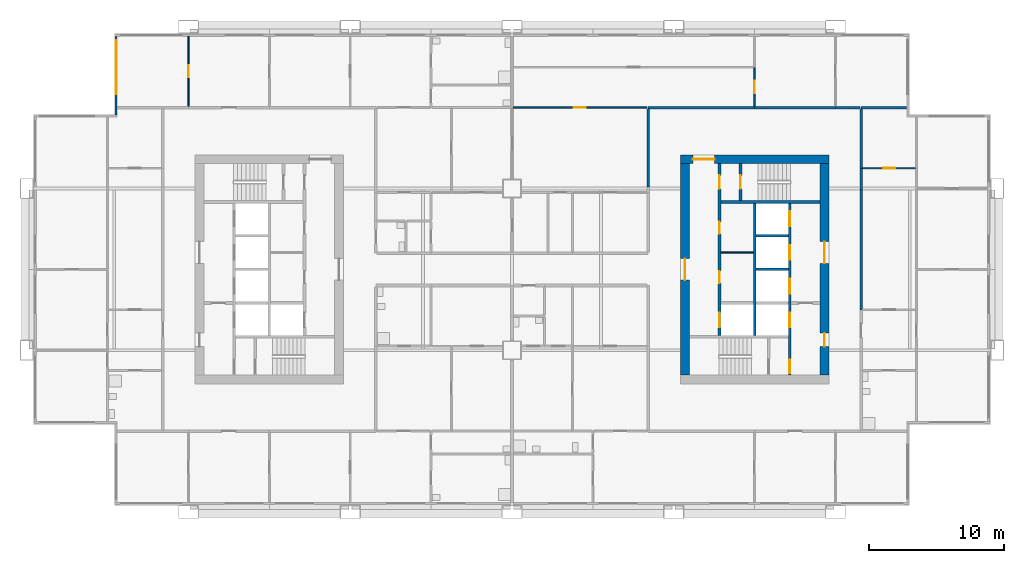
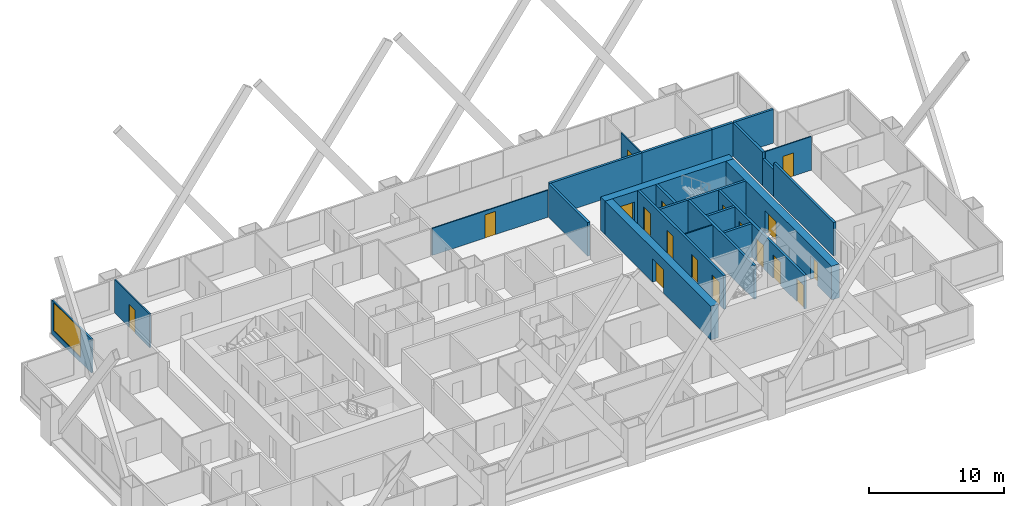
# One storey, part 7 of 11: 24 walls, 18 doors, 1 window, 19 openings.
"""IFC4 building model written with IfcOpenShell, lengths in metres."""

from ifc_helpers import new_model, si_unit, direction, frame, frame_2d, origin, place, context, subcontext, project, spatial, rectangle, extrude, material, layer, layer_set, type_object, element, fill, save


model = new_model("IFC4")

# Units and contexts
model_context = context("Model", 3, precision=1e-05, world=origin(), true_north=direction((0.0, 1.0)))
body_context = subcontext(model_context, "Body", "Model", "MODEL_VIEW")
ifc_project = project(units=[si_unit("LENGTHUNIT", "METRE"), si_unit("AREAUNIT", "SQUARE_METRE"), si_unit("VOLUMEUNIT", "CUBIC_METRE"), si_unit("PLANEANGLEUNIT", "RADIAN"), si_unit("MASSUNIT", "GRAM", prefix="KILO")], contexts=[model_context])

# Site, building, storey
site_placement = place(None, origin())
site = spatial("IfcSite", under=ifc_project, at=site_placement, CompositionType="ELEMENT")
building_placement = place(site_placement, origin())
building = spatial("IfcBuilding", under=site, at=building_placement, Name="Kitamizu Gate Tower and Museum", CompositionType="ELEMENT")
storey_placement = place(building_placement, frame((0.0, 0.0, 96.60009765625)))
storey = spatial("IfcBuildingStorey", under=building, at=storey_placement, Name="L24", CompositionType="ELEMENT", Elevation=96.60009765625)

# Wall, opening, door
ifc_material_1 = material(Name="Concrete Fc60", Category="concrete")
ifc_layer_1 = layer(ifc_material_1, 0.64990234375)
ifc_layer_set_1 = layer_set([ifc_layer_1], Name="Concrete Fc60")
wall_type_1 = type_object("IfcWallType", Name="Core wall 650", PredefinedType="SHEAR", material=ifc_layer_set_1)
wall_1_placement = place(storey_placement, frame((59.5, 38.175048828125, 0.0), z_axis=(0.0, 0.0, 1.0), x_axis=(-1.0, 0.0, 0.0)))
wall_1 = element("IfcWall", 1, at=wall_1_placement, inside=storey, type_object=wall_type_1, Name="Core wall EN", PredefinedType="SHEAR", context=body_context, shape_type="SweptSolid", body=[
    extrude(rectangle(XDim=11.0, YDim=0.64990234375, at=frame_2d((5.5, 0.0))), origin(), (0.0, 0.0, 1.0), 3.0498046875),
])
opening_1_placement = place(wall_1_placement, frame((8.47509765625, 0.0, 0.0)))
opening_1 = element("IfcOpeningElement", 2, at=opening_1_placement, cuts=wall_1, Name="Opening L24-074", PredefinedType="OPENING", context=body_context, shape_type="SweptSolid", body=[
    extrude(rectangle(XDim=1.60009765625, YDim=2.10009765625, at=frame_2d((0.800048828125, 1.050048828125))), frame((0.0, 0.3349609375, 0.0), z_axis=(0.0, -1.0, 0.0), x_axis=(1.0, 0.0, 0.0)), (0.0, 0.0, 1.0), 0.669921875),
])
ifc_material_2 = material(Name="Timber door set", Category="wood")
door_type_1 = type_object("IfcDoorType", Name="Entrance door 1600", OperationType="DOUBLE_DOOR_SINGLE_SWING", PredefinedType="DOOR", material=ifc_material_2)
door_1_placement = place(opening_1_placement, origin())
door_1 = element("IfcDoor", 3, at=door_1_placement, inside=storey, type_object=door_type_1, Name="Lobby door L24-074", OperationType="DOUBLE_DOOR_SINGLE_SWING", OverallHeight=2.10009765625, OverallWidth=1.60009765625, PredefinedType="DOOR", context=body_context, shape_type="SweptSolid", body=[
    extrude(rectangle(XDim=1.60009765625, YDim=2.10009765625, at=frame_2d((0.800048828125, 1.050048828125))), frame((0.0, 0.02490234375, 0.0), z_axis=(0.0, -1.0, 0.0), x_axis=(1.0, 0.0, 0.0)), (0.0, 0.0, 1.0), 0.050048828125),
])
fill(opening_1, door_1)

# Wall, openings, doors
wall_2_placement = place(storey_placement, frame((59.175048828125, 22.14990234375, 0.0), z_axis=(0.0, 0.0, 1.0), x_axis=(0.0, 1.0, 0.0)))
wall_2 = element("IfcWall", 4, at=wall_2_placement, inside=storey, type_object=wall_type_1, Name="Core wall EOUT", PredefinedType="SHEAR", context=body_context, shape_type="SweptSolid", body=[
    extrude(rectangle(XDim=15.7001953125, YDim=0.64990234375, at=frame_2d((7.85009765625, 0.0))), origin(), (0.0, 0.0, 1.0), 3.0498046875),
])
opening_2_placement = place(wall_2_placement, frame((8.300048828125, 0.0, 0.0)))
opening_2 = element("IfcOpeningElement", 5, at=opening_2_placement, cuts=wall_2, Name="Opening L24-072", PredefinedType="OPENING", context=body_context, shape_type="SweptSolid", body=[
    extrude(rectangle(XDim=1.60009765625, YDim=2.10009765625, at=frame_2d((0.800048828125, 1.050048828125))), frame((0.0, 0.3349609375, 0.0), z_axis=(0.0, -1.0, 0.0), x_axis=(1.0, 0.0, 0.0)), (0.0, 0.0, 1.0), 0.669921875),
])
opening_3_placement = place(wall_2_placement, frame((2.125, 0.0, 0.0)))
opening_3 = element("IfcOpeningElement", 6, at=opening_3_placement, cuts=wall_2, Name="Opening L24-073", PredefinedType="OPENING", context=body_context, shape_type="SweptSolid", body=[
    extrude(rectangle(XDim=1.0, YDim=2.10009765625, at=frame_2d((0.5, 1.050048828125))), frame((0.0, 0.3349609375, 0.0), z_axis=(0.0, -1.0, 0.0), x_axis=(1.0, 0.0, 0.0)), (0.0, 0.0, 1.0), 0.669921875),
])
door_2_placement = place(opening_2_placement, origin())
door_2 = element("IfcDoor", 7, at=door_2_placement, inside=storey, type_object=door_type_1, Name="Lobby door L24-072", OperationType="DOUBLE_DOOR_SINGLE_SWING", OverallHeight=2.10009765625, OverallWidth=1.60009765625, PredefinedType="DOOR", context=body_context, shape_type="SweptSolid", body=[
    extrude(rectangle(XDim=1.60009765625, YDim=2.10009765625, at=frame_2d((0.800048828125, 1.050048828125))), frame((0.0, 0.02490234375, 0.0), z_axis=(0.0, -1.0, 0.0), x_axis=(1.0, 0.0, 0.0)), (0.0, 0.0, 1.0), 0.050048828125),
])
fill(opening_2, door_2)
ifc_material_3 = material(Name="Hollow metal door set")
door_type_2 = type_object("IfcDoorType", Name="Fire door 1000", OperationType="NOTDEFINED", PredefinedType="DOOR", material=ifc_material_3)
door_3_placement = place(opening_3_placement, origin())
door_3 = element("IfcDoor", 8, at=door_3_placement, inside=storey, type_object=door_type_2, Name="Fire-fighting lobby door L24-073", OperationType="SINGLE_SWING_LEFT", OverallHeight=2.10009765625, OverallWidth=1.0, PredefinedType="DOOR", context=body_context, shape_type="SweptSolid", body=[
    extrude(rectangle(XDim=1.0, YDim=2.10009765625, at=frame_2d((0.5, 1.050048828125))), frame((0.0, 0.02490234375, 0.0), z_axis=(0.0, -1.0, 0.0), x_axis=(1.0, 0.0, 0.0)), (0.0, 0.0, 1.0), 0.050048828125),
])
fill(opening_3, door_3)

# Wall, opening, door
wall_3_placement = place(storey_placement, frame((48.824951171875, 22.14990234375, 0.0), z_axis=(0.0, 0.0, 1.0), x_axis=(0.0, 1.0, 0.0)))
wall_3 = element("IfcWall", 9, at=wall_3_placement, inside=storey, type_object=wall_type_1, Name="Core wall EARC", PredefinedType="SHEAR", context=body_context, shape_type="SweptSolid", body=[
    extrude(rectangle(XDim=15.7001953125, YDim=0.64990234375, at=frame_2d((7.85009765625, 0.0))), origin(), (0.0, 0.0, 1.0), 3.0498046875),
])
opening_4_placement = place(wall_3_placement, frame((7.050048828125, 0.0, 0.0)))
opening_4 = element("IfcOpeningElement", 10, at=opening_4_placement, cuts=wall_3, Name="Opening L24-075", PredefinedType="OPENING", context=body_context, shape_type="SweptSolid", body=[
    extrude(rectangle(XDim=1.60009765625, YDim=2.10009765625, at=frame_2d((0.800048828125, 1.050048828125))), frame((0.0, 0.3349609375, 0.0), z_axis=(0.0, -1.0, 0.0), x_axis=(1.0, 0.0, 0.0)), (0.0, 0.0, 1.0), 0.669921875),
])
door_4_placement = place(opening_4_placement, origin())
door_4 = element("IfcDoor", 11, at=door_4_placement, inside=storey, type_object=door_type_1, Name="Lobby door L24-075", OperationType="DOUBLE_DOOR_SINGLE_SWING", OverallHeight=2.10009765625, OverallWidth=1.60009765625, PredefinedType="DOOR", context=body_context, shape_type="SweptSolid", body=[
    extrude(rectangle(XDim=1.60009765625, YDim=2.10009765625, at=frame_2d((0.800048828125, 1.050048828125))), frame((0.0, 0.02490234375, 0.0), z_axis=(0.0, -1.0, 0.0), x_axis=(1.0, 0.0, 0.0)), (0.0, 0.0, 1.0), 0.050048828125),
])
fill(opening_4, door_4)

# Wall
ifc_material_4 = material(Name="Gypsum board on galvanised stud")
ifc_layer_2 = layer(ifc_material_4, 0.10009765625)
ifc_layer_set_2 = layer_set([ifc_layer_2], Name="Gypsum board on galvanised stud")
wall_type_2 = type_object("IfcWallType", Name="Partition 100", PredefinedType="PARTITIONING", material=ifc_layer_set_2)
wall_4_placement = place(storey_placement, frame((53.89990234375, 31.25, 0.0), z_axis=(0.0, 0.0, 1.0), x_axis=(-1.0, 0.0, 0.0)))
element("IfcWall", 12, at=wall_4_placement, inside=storey, type_object=wall_type_2, Name="Partition EPF1", PredefinedType="PARTITIONING", context=body_context, shape_type="SweptSolid", body=[
    extrude(rectangle(XDim=2.39990234375, YDim=0.10009765625, at=frame_2d((1.199951171875, 0.0))), origin(), (0.0, 0.0, 1.0), 3.0498046875),
])

# Wall, opening, door
ifc_material_5 = material(Name="Gypsum board on galvanised stud")
ifc_layer_3 = layer(ifc_material_5, 0.10009765625)
ifc_layer_set_3 = layer_set([ifc_layer_3], Name="Gypsum board on galvanised stud")
wall_type_3 = type_object("IfcWallType", Name="Partition 100 NOT RATED", PredefinedType="PARTITIONING", material=ifc_layer_set_3)
wall_5_placement = place(storey_placement, frame((65.949951171875, 37.5, 0.0), z_axis=(0.0, 0.0, 1.0), x_axis=(-1.0, 0.0, 0.0)))
wall_5 = element("IfcWall", 13, at=wall_5_placement, inside=storey, type_object=wall_type_3, Name="Partition L24-088", PredefinedType="PARTITIONING", context=body_context, shape_type="SweptSolid", body=[
    extrude(rectangle(XDim=3.949951171875, YDim=0.10009765625, at=frame_2d((1.97509765625, 0.0))), origin(), (0.0, 0.0, 1.0), 3.0498046875),
])
opening_5_placement = place(wall_5_placement, frame((1.52490234375, 0.0, 0.0)))
opening_5 = element("IfcOpeningElement", 14, at=opening_5_placement, cuts=wall_5, Name="Opening L24-035", PredefinedType="OPENING", context=body_context, shape_type="SweptSolid", body=[
    extrude(rectangle(XDim=0.89990234375, YDim=2.10009765625, at=frame_2d((0.449951171875, 1.050048828125))), frame((0.0, 0.06005859375, 0.0), z_axis=(0.0, -1.0, 0.0), x_axis=(1.0, 0.0, 0.0)), (0.0, 0.0, 1.0), 0.1201171875),
])
ifc_material_6 = material(Name="Timber door set", Category="wood")
door_type_3 = type_object("IfcDoorType", Name="Room door 900", OperationType="NOTDEFINED", PredefinedType="DOOR", material=ifc_material_6)
door_5_placement = place(opening_5_placement, frame((0.89990234375, 0.0, 0.0), x_axis=(-1.0, 0.0, 0.0)))
door_5 = element("IfcDoor", 15, at=door_5_placement, inside=storey, type_object=door_type_3, Name="Door L24-035", OperationType="SINGLE_SWING_RIGHT", OverallHeight=2.10009765625, OverallWidth=0.89990234375, PredefinedType="DOOR", context=body_context, shape_type="SweptSolid", body=[
    extrude(rectangle(XDim=0.89990234375, YDim=2.10009765625, at=frame_2d((0.449951171875, 1.050048828125))), frame((0.0, 0.02490234375, 0.0), z_axis=(0.0, -1.0, 0.0), x_axis=(1.0, 0.0, 0.0)), (0.0, 0.0, 1.0), 0.050048828125),
])
fill(opening_5, door_5)

wall_6_placement = place(storey_placement, frame((12.0, 42.10009765625, 0.0), z_axis=(0.0, 0.0, 1.0), x_axis=(0.0, 1.0, 0.0)))
wall_6 = element("IfcWall", 16, at=wall_6_placement, inside=storey, type_object=wall_type_3, Name="Partition L24-093", PredefinedType="PARTITIONING", context=body_context, shape_type="SweptSolid", body=[
    extrude(rectangle(XDim=5.179931640625, YDim=0.10009765625, at=frame_2d((2.58984375, 0.0))), origin(), (0.0, 0.0, 1.0), 3.0498046875),
])
opening_6_placement = place(wall_6_placement, frame((2.139892578125, 0.0, 0.0)))
opening_6 = element("IfcOpeningElement", 17, at=opening_6_placement, cuts=wall_6, Name="Opening L24-037", PredefinedType="OPENING", context=body_context, shape_type="SweptSolid", body=[
    extrude(rectangle(XDim=0.89990234375, YDim=2.10009765625, at=frame_2d((0.449951171875, 1.050048828125))), frame((0.0, 0.06005859375, 0.0), z_axis=(0.0, -1.0, 0.0), x_axis=(1.0, 0.0, 0.0)), (0.0, 0.0, 1.0), 0.1201171875),
])
door_6_placement = place(opening_6_placement, origin())
door_6 = element("IfcDoor", 18, at=door_6_placement, inside=storey, type_object=door_type_3, Name="Door L24-037", OperationType="SINGLE_SWING_LEFT", OverallHeight=2.10009765625, OverallWidth=0.89990234375, PredefinedType="DOOR", context=body_context, shape_type="SweptSolid", body=[
    extrude(rectangle(XDim=0.89990234375, YDim=2.10009765625, at=frame_2d((0.449951171875, 1.050048828125))), frame((0.0, 0.02490234375, 0.0), z_axis=(0.0, -1.0, 0.0), x_axis=(1.0, 0.0, 0.0)), (0.0, 0.0, 1.0), 0.050048828125),
])
fill(opening_6, door_6)

wall_7_placement = place(storey_placement, frame((54.0, 42.10009765625, 0.0), z_axis=(0.0, 0.0, 1.0), x_axis=(0.0, 1.0, 0.0)))
wall_7 = element("IfcWall", 19, at=wall_7_placement, inside=storey, type_object=wall_type_3, Name="Partition L24-110", PredefinedType="PARTITIONING", context=body_context, shape_type="SweptSolid", body=[
    extrude(rectangle(XDim=2.849853515625, YDim=0.10009765625, at=frame_2d((1.4248046875, 0.0))), origin(), (0.0, 0.0, 1.0), 3.0498046875),
])
opening_7_placement = place(wall_7_placement, frame((0.97509765625, 0.0, 0.0)))
opening_7 = element("IfcOpeningElement", 20, at=opening_7_placement, cuts=wall_7, Name="Opening L24-052", PredefinedType="OPENING", context=body_context, shape_type="SweptSolid", body=[
    extrude(rectangle(XDim=0.89990234375, YDim=2.10009765625, at=frame_2d((0.449951171875, 1.050048828125))), frame((0.0, 0.06005859375, 0.0), z_axis=(0.0, -1.0, 0.0), x_axis=(1.0, 0.0, 0.0)), (0.0, 0.0, 1.0), 0.1201171875),
])
door_7_placement = place(opening_7_placement, frame((0.89990234375, 0.0, 0.0), x_axis=(-1.0, 0.0, 0.0)))
door_7 = element("IfcDoor", 21, at=door_7_placement, inside=storey, type_object=door_type_3, Name="Door L24-052", OperationType="SINGLE_SWING_LEFT", OverallHeight=2.10009765625, OverallWidth=0.89990234375, PredefinedType="DOOR", context=body_context, shape_type="SweptSolid", body=[
    extrude(rectangle(XDim=0.89990234375, YDim=2.10009765625, at=frame_2d((0.449951171875, 1.050048828125))), frame((0.0, 0.02490234375, 0.0), z_axis=(0.0, -1.0, 0.0), x_axis=(1.0, 0.0, 0.0)), (0.0, 0.0, 1.0), 0.050048828125),
])
fill(opening_7, door_7)

wall_8_placement = place(storey_placement, frame((36.074951171875, 42.0, 0.0), z_axis=(0.0, 0.0, 1.0), x_axis=(1.0, 0.0, 0.0)))
wall_8 = element("IfcWall", 22, at=wall_8_placement, inside=storey, type_object=wall_type_3, Name="Partition L24-111", PredefinedType="PARTITIONING", context=body_context, shape_type="SweptSolid", body=[
    extrude(rectangle(XDim=9.925048828125, YDim=0.10009765625, at=frame_2d((4.96240234375, 0.0))), origin(), (0.0, 0.0, 1.0), 2.449951171875),
])
opening_8_placement = place(wall_8_placement, frame((4.512451171875, 0.0, 0.0)))
opening_8 = element("IfcOpeningElement", 23, at=opening_8_placement, cuts=wall_8, Name="Opening L24-050", PredefinedType="OPENING", context=body_context, shape_type="SweptSolid", body=[
    extrude(rectangle(XDim=0.89990234375, YDim=2.10009765625, at=frame_2d((0.449951171875, 1.050048828125))), frame((0.0, 0.06005859375, 0.0), z_axis=(0.0, -1.0, 0.0), x_axis=(1.0, 0.0, 0.0)), (0.0, 0.0, 1.0), 0.1201171875),
])
door_8_placement = place(opening_8_placement, origin())
door_8 = element("IfcDoor", 24, at=door_8_placement, inside=storey, type_object=door_type_3, Name="Door L24-050", OperationType="SINGLE_SWING_LEFT", OverallHeight=2.10009765625, OverallWidth=0.89990234375, PredefinedType="DOOR", context=body_context, shape_type="SweptSolid", body=[
    extrude(rectangle(XDim=0.89990234375, YDim=2.10009765625, at=frame_2d((0.449951171875, 1.050048828125))), frame((0.0, 0.02490234375, 0.0), z_axis=(0.0, -1.0, 0.0), x_axis=(1.0, 0.0, 0.0)), (0.0, 0.0, 1.0), 0.050048828125),
])
fill(opening_8, door_8)

# Walls
ifc_material_7 = material(Name="Gypsum board on galvanised stud")
ifc_layer_4 = layer(ifc_material_7, 0.199951171875)
ifc_layer_set_4 = layer_set([ifc_layer_4], Name="Gypsum board on galvanised stud")
wall_type_4 = type_object("IfcWallType", Name="Partition 200", PredefinedType="PARTITIONING", material=ifc_layer_set_4)
wall_9_placement = place(storey_placement, frame((61.89990234375, 37.5, 0.0), z_axis=(0.0, 0.0, 1.0), x_axis=(0.0, -1.0, 0.0)))
element("IfcWall", 25, at=wall_9_placement, inside=storey, type_object=wall_type_4, Name="Partition L24-089", PredefinedType="PARTITIONING", context=body_context, shape_type="SweptSolid", body=[
    extrude(rectangle(XDim=1.60009765625, YDim=0.199951171875, at=frame_2d((0.800048828125, 0.0))), origin(), (0.0, 0.0, 1.0), 2.449951171875),
])
wall_10_placement = place(storey_placement, frame((61.89990234375, 35.89990234375, 0.0), z_axis=(0.0, 0.0, 1.0), x_axis=(0.0, -1.0, 0.0)))
element("IfcWall", 26, at=wall_10_placement, inside=storey, type_object=wall_type_4, Name="Partition L24-090", PredefinedType="PARTITIONING", context=body_context, shape_type="SweptSolid", body=[
    extrude(rectangle(XDim=8.89990234375, YDim=0.199951171875, at=frame_2d((4.449951171875, 0.0))), origin(), (0.0, 0.0, 1.0), 3.0498046875),
])
wall_11_placement = place(storey_placement, frame((65.280029296875, 42.0, 0.0), z_axis=(0.0, 0.0, 1.0), x_axis=(-1.0, 0.0, 0.0)))
element("IfcWall", 27, at=wall_11_placement, inside=storey, type_object=wall_type_4, Name="Partition L24-091", PredefinedType="PARTITIONING", context=body_context, shape_type="SweptSolid", body=[
    extrude(rectangle(XDim=3.380126953125, YDim=0.199951171875, at=frame_2d((1.68994140625, 0.0))), origin(), (0.0, 0.0, 1.0), 3.0498046875),
])
wall_12_placement = place(storey_placement, frame((61.89990234375, 41.89990234375, 0.0), z_axis=(0.0, 0.0, 1.0), x_axis=(0.0, -1.0, 0.0)))
element("IfcWall", 28, at=wall_12_placement, inside=storey, type_object=wall_type_4, Name="Partition L24-092", PredefinedType="PARTITIONING", context=body_context, shape_type="SweptSolid", body=[
    extrude(rectangle(XDim=4.39990234375, YDim=0.199951171875, at=frame_2d((2.199951171875, 0.0))), origin(), (0.0, 0.0, 1.0), 3.0498046875),
])
wall_13_placement = place(storey_placement, frame((46.10009765625, 42.0, 0.0), z_axis=(0.0, 0.0, 1.0), x_axis=(1.0, 0.0, 0.0)))
element("IfcWall", 29, at=wall_13_placement, inside=storey, type_object=wall_type_4, Name="Partition L24-112", PredefinedType="PARTITIONING", context=body_context, shape_type="SweptSolid", body=[
    extrude(rectangle(XDim=7.89990234375, YDim=0.199951171875, at=frame_2d((3.949951171875, 0.0))), origin(), (0.0, 0.0, 1.0), 3.0498046875),
])
wall_14_placement = place(storey_placement, frame((54.0, 42.0, 0.0), z_axis=(0.0, 0.0, 1.0), x_axis=(1.0, 0.0, 0.0)))
element("IfcWall", 30, at=wall_14_placement, inside=storey, type_object=wall_type_4, Name="Partition L24-115", PredefinedType="PARTITIONING", context=body_context, shape_type="SweptSolid", body=[
    extrude(rectangle(XDim=6.0, YDim=0.199951171875, at=frame_2d((3.0, 0.0))), origin(), (0.0, 0.0, 1.0), 3.0498046875),
])
wall_15_placement = place(storey_placement, frame((60.0, 42.0, 0.0), z_axis=(0.0, 0.0, 1.0), x_axis=(1.0, 0.0, 0.0)))
element("IfcWall", 31, at=wall_15_placement, inside=storey, type_object=wall_type_4, Name="Partition L24-116", PredefinedType="PARTITIONING", context=body_context, shape_type="SweptSolid", body=[
    extrude(rectangle(XDim=1.800048828125, YDim=0.199951171875, at=frame_2d((0.89990234375, 0.0))), origin(), (0.0, 0.0, 1.0), 3.0498046875),
])
wall_16_placement = place(storey_placement, frame((46.10009765625, 36.10009765625, 0.0), z_axis=(0.0, 0.0, 1.0), x_axis=(0.0, 1.0, 0.0)))
element("IfcWall", 32, at=wall_16_placement, inside=storey, type_object=wall_type_4, Name="Partition L24-139", PredefinedType="PARTITIONING", context=body_context, shape_type="SweptSolid", body=[
    extrude(rectangle(XDim=5.7998046875, YDim=0.199951171875, at=frame_2d((2.89990234375, 0.0))), origin(), (0.0, 0.0, 1.0), 3.0498046875),
])

# Wall, openings, doors
ifc_material_8 = material(Name="Concrete Fc42", Category="concrete")
ifc_layer_5 = layer(ifc_material_8, 0.199951171875)
ifc_layer_set_5 = layer_set([ifc_layer_5], Name="Concrete Fc42")
wall_type_5 = type_object("IfcWallType", Name="Shaft wall 200", PredefinedType="SOLIDWALL", material=ifc_layer_set_5)
wall_17_placement = place(storey_placement, frame((56.60009765625, 22.14990234375, 0.0), z_axis=(0.0, 0.0, 1.0), x_axis=(0.0, 1.0, 0.0)))
wall_17 = element("IfcWall", 33, at=wall_17_placement, inside=storey, type_object=wall_type_5, Name="Shaft wall EWEST", PredefinedType="SOLIDWALL", context=body_context, shape_type="SweptSolid", body=[
    extrude(rectangle(XDim=12.75, YDim=0.199951171875, at=frame_2d((6.375, 0.0))), origin(), (0.0, 0.0, 1.0), 3.0498046875),
])
opening_9_placement = place(wall_17_placement, frame((3.550048828125, 0.0, 0.0)))
opening_9 = element("IfcOpeningElement", 34, at=opening_9_placement, cuts=wall_17, Name="Opening LD", PredefinedType="OPENING", context=body_context, shape_type="SweptSolid", body=[
    extrude(rectangle(XDim=1.10009765625, YDim=2.10009765625, at=frame_2d((0.550048828125, 1.050048828125))), frame((0.0, 0.10986328125, 0.0), z_axis=(0.0, -1.0, 0.0), x_axis=(1.0, 0.0, 0.0)), (0.0, 0.0, 1.0), 0.219970703125),
])
opening_10_placement = place(wall_17_placement, frame((6.050048828125, 0.0, 0.0)))
opening_10 = element("IfcOpeningElement", 35, at=opening_10_placement, cuts=wall_17, Name="Opening LD", PredefinedType="OPENING", context=body_context, shape_type="SweptSolid", body=[
    extrude(rectangle(XDim=1.10009765625, YDim=2.10009765625, at=frame_2d((0.550048828125, 1.050048828125))), frame((0.0, 0.10986328125, 0.0), z_axis=(0.0, -1.0, 0.0), x_axis=(1.0, 0.0, 0.0)), (0.0, 0.0, 1.0), 0.219970703125),
])
opening_11_placement = place(wall_17_placement, frame((8.550048828125, 0.0, 0.0)))
opening_11 = element("IfcOpeningElement", 36, at=opening_11_placement, cuts=wall_17, Name="Opening LD", PredefinedType="OPENING", context=body_context, shape_type="SweptSolid", body=[
    extrude(rectangle(XDim=1.10009765625, YDim=2.10009765625, at=frame_2d((0.550048828125, 1.050048828125))), frame((0.0, 0.10986328125, 0.0), z_axis=(0.0, -1.0, 0.0), x_axis=(1.0, 0.0, 0.0)), (0.0, 0.0, 1.0), 0.219970703125),
])
opening_12_placement = place(wall_17_placement, frame((11.050048828125, 0.0, 0.0)))
opening_12 = element("IfcOpeningElement", 37, at=opening_12_placement, cuts=wall_17, Name="Opening LD", PredefinedType="OPENING", context=body_context, shape_type="SweptSolid", body=[
    extrude(rectangle(XDim=1.10009765625, YDim=2.10009765625, at=frame_2d((0.550048828125, 1.050048828125))), frame((0.0, 0.10986328125, 0.0), z_axis=(0.0, -1.0, 0.0), x_axis=(1.0, 0.0, 0.0)), (0.0, 0.0, 1.0), 0.219970703125),
])
opening_13_placement = place(wall_17_placement, frame((0.14990234375, 0.0, 0.0)))
opening_13 = element("IfcOpeningElement", 38, at=opening_13_placement, cuts=wall_17, Name="Opening L24-068", PredefinedType="OPENING", context=body_context, shape_type="SweptSolid", body=[
    extrude(rectangle(XDim=1.0, YDim=2.10009765625, at=frame_2d((0.5, 1.050048828125))), frame((0.0, 0.10986328125, 0.0), z_axis=(0.0, -1.0, 0.0), x_axis=(1.0, 0.0, 0.0)), (0.0, 0.0, 1.0), 0.219970703125),
])
door_9_placement = place(opening_13_placement, origin())
door_9 = element("IfcDoor", 39, at=door_9_placement, inside=storey, type_object=door_type_2, Name="Stair lobby door L24-068", OperationType="SINGLE_SWING_RIGHT", OverallHeight=2.10009765625, OverallWidth=1.0, PredefinedType="DOOR", context=body_context, shape_type="SweptSolid", body=[
    extrude(rectangle(XDim=1.0, YDim=2.10009765625, at=frame_2d((0.5, 1.050048828125))), frame((0.0, 0.02490234375, 0.0), z_axis=(0.0, -1.0, 0.0), x_axis=(1.0, 0.0, 0.0)), (0.0, 0.0, 1.0), 0.050048828125),
])
fill(opening_13, door_9)
ifc_material_9 = material(Name="Hollow metal door set")
door_type_4 = type_object("IfcDoorType", Name="Landing door 1100", OperationType="SLIDING_TO_LEFT", PredefinedType="DOOR", material=ifc_material_9)
door_10_placement = place(opening_9_placement, origin())
door_10 = element("IfcDoor", 40, at=door_10_placement, inside=storey, type_object=door_type_4, Name="Landing door EFF1", OperationType="SLIDING_TO_LEFT", OverallHeight=2.10009765625, OverallWidth=1.10009765625, PredefinedType="DOOR", context=body_context, shape_type="SweptSolid", body=[
    extrude(rectangle(XDim=1.10009765625, YDim=2.10009765625, at=frame_2d((0.550048828125, 1.050048828125))), frame((0.0, 0.02490234375, 0.0), z_axis=(0.0, -1.0, 0.0), x_axis=(1.0, 0.0, 0.0)), (0.0, 0.0, 1.0), 0.050048828125),
])
fill(opening_9, door_10)
door_11_placement = place(opening_10_placement, origin())
door_11 = element("IfcDoor", 41, at=door_11_placement, inside=storey, type_object=door_type_4, Name="Landing door EL1", OperationType="SLIDING_TO_LEFT", OverallHeight=2.10009765625, OverallWidth=1.10009765625, PredefinedType="DOOR", context=body_context, shape_type="SweptSolid", body=[
    extrude(rectangle(XDim=1.10009765625, YDim=2.10009765625, at=frame_2d((0.550048828125, 1.050048828125))), frame((0.0, 0.02490234375, 0.0), z_axis=(0.0, -1.0, 0.0), x_axis=(1.0, 0.0, 0.0)), (0.0, 0.0, 1.0), 0.050048828125),
])
fill(opening_10, door_11)
door_12_placement = place(opening_11_placement, origin())
door_12 = element("IfcDoor", 42, at=door_12_placement, inside=storey, type_object=door_type_4, Name="Landing door EL2", OperationType="SLIDING_TO_LEFT", OverallHeight=2.10009765625, OverallWidth=1.10009765625, PredefinedType="DOOR", context=body_context, shape_type="SweptSolid", body=[
    extrude(rectangle(XDim=1.10009765625, YDim=2.10009765625, at=frame_2d((0.550048828125, 1.050048828125))), frame((0.0, 0.02490234375, 0.0), z_axis=(0.0, -1.0, 0.0), x_axis=(1.0, 0.0, 0.0)), (0.0, 0.0, 1.0), 0.050048828125),
])
fill(opening_11, door_12)
door_13_placement = place(opening_12_placement, origin())
door_13 = element("IfcDoor", 43, at=door_13_placement, inside=storey, type_object=door_type_4, Name="Landing door EL3", OperationType="SLIDING_TO_LEFT", OverallHeight=2.10009765625, OverallWidth=1.10009765625, PredefinedType="DOOR", context=body_context, shape_type="SweptSolid", body=[
    extrude(rectangle(XDim=1.10009765625, YDim=2.10009765625, at=frame_2d((0.550048828125, 1.050048828125))), frame((0.0, 0.02490234375, 0.0), z_axis=(0.0, -1.0, 0.0), x_axis=(1.0, 0.0, 0.0)), (0.0, 0.0, 1.0), 0.050048828125),
])
fill(opening_12, door_13)

wall_18_placement = place(storey_placement, frame((51.39990234375, 25.10009765625, 0.0), z_axis=(0.0, 0.0, 1.0), x_axis=(0.0, 1.0, 0.0)))
wall_18 = element("IfcWall", 44, at=wall_18_placement, inside=storey, type_object=wall_type_5, Name="Shaft wall EEAST", PredefinedType="SOLIDWALL", context=body_context, shape_type="SweptSolid", body=[
    extrude(rectangle(XDim=12.75, YDim=0.199951171875, at=frame_2d((6.375, 0.0))), origin(), (0.0, 0.0, 1.0), 3.0498046875),
])
opening_14_placement = place(wall_18_placement, frame((0.60009765625, 0.0, 0.0)))
opening_14 = element("IfcOpeningElement", 45, at=opening_14_placement, cuts=wall_18, Name="Opening LD", PredefinedType="OPENING", context=body_context, shape_type="SweptSolid", body=[
    extrude(rectangle(XDim=1.10009765625, YDim=2.10009765625, at=frame_2d((0.550048828125, 1.050048828125))), frame((0.0, 0.10986328125, 0.0), z_axis=(0.0, -1.0, 0.0), x_axis=(1.0, 0.0, 0.0)), (0.0, 0.0, 1.0), 0.219970703125),
])
opening_15_placement = place(wall_18_placement, frame((10.875, 0.0, 0.0)))
opening_15 = element("IfcOpeningElement", 46, at=opening_15_placement, cuts=wall_18, Name="Opening L24-069", PredefinedType="OPENING", context=body_context, shape_type="SweptSolid", body=[
    extrude(rectangle(XDim=1.0, YDim=2.10009765625, at=frame_2d((0.5, 1.050048828125))), frame((0.0, 0.10986328125, 0.0), z_axis=(0.0, -1.0, 0.0), x_axis=(1.0, 0.0, 0.0)), (0.0, 0.0, 1.0), 0.219970703125),
])
opening_16_placement = place(wall_18_placement, frame((3.875, 0.0, 0.0)))
opening_16 = element("IfcOpeningElement", 47, at=opening_16_placement, cuts=wall_18, Name="Opening L24-076", PredefinedType="OPENING", context=body_context, shape_type="SweptSolid", body=[
    extrude(rectangle(XDim=0.89990234375, YDim=2.10009765625, at=frame_2d((0.449951171875, 1.050048828125))), frame((0.0, 0.10986328125, 0.0), z_axis=(0.0, -1.0, 0.0), x_axis=(1.0, 0.0, 0.0)), (0.0, 0.0, 1.0), 0.219970703125),
])
opening_17_placement = place(wall_18_placement, frame((7.52490234375, 0.0, 0.0)))
opening_17 = element("IfcOpeningElement", 48, at=opening_17_placement, cuts=wall_18, Name="Opening L24-077", PredefinedType="OPENING", context=body_context, shape_type="SweptSolid", body=[
    extrude(rectangle(XDim=0.89990234375, YDim=2.10009765625, at=frame_2d((0.449951171875, 1.050048828125))), frame((0.0, 0.10986328125, 0.0), z_axis=(0.0, -1.0, 0.0), x_axis=(1.0, 0.0, 0.0)), (0.0, 0.0, 1.0), 0.219970703125),
])
door_14_placement = place(opening_15_placement, frame((1.0, 0.0, 0.0), x_axis=(-1.0, 0.0, 0.0)))
door_14 = element("IfcDoor", 49, at=door_14_placement, inside=storey, type_object=door_type_2, Name="Stair lobby door L24-069", OperationType="SINGLE_SWING_LEFT", OverallHeight=2.10009765625, OverallWidth=1.0, PredefinedType="DOOR", context=body_context, shape_type="SweptSolid", body=[
    extrude(rectangle(XDim=1.0, YDim=2.10009765625, at=frame_2d((0.5, 1.050048828125))), frame((0.0, 0.02490234375, 0.0), z_axis=(0.0, -1.0, 0.0), x_axis=(1.0, 0.0, 0.0)), (0.0, 0.0, 1.0), 0.050048828125),
])
fill(opening_15, door_14)
door_15_placement = place(opening_14_placement, origin())
door_15 = element("IfcDoor", 50, at=door_15_placement, inside=storey, type_object=door_type_4, Name="Landing door ESV1", OperationType="SLIDING_TO_LEFT", OverallHeight=2.10009765625, OverallWidth=1.10009765625, PredefinedType="DOOR", context=body_context, shape_type="SweptSolid", body=[
    extrude(rectangle(XDim=1.10009765625, YDim=2.10009765625, at=frame_2d((0.550048828125, 1.050048828125))), frame((0.0, 0.02490234375, 0.0), z_axis=(0.0, -1.0, 0.0), x_axis=(1.0, 0.0, 0.0)), (0.0, 0.0, 1.0), 0.050048828125),
])
fill(opening_14, door_15)
ifc_material_10 = material(Name="Timber door set", Category="wood")
door_type_5 = type_object("IfcDoorType", Name="Service door 900", OperationType="NOTDEFINED", PredefinedType="DOOR", material=ifc_material_10)
door_16_placement = place(opening_16_placement, frame((0.89990234375, 0.0, 0.0), x_axis=(-1.0, 0.0, 0.0)))
door_16 = element("IfcDoor", 51, at=door_16_placement, inside=storey, type_object=door_type_5, Name="Service door L24-076", OperationType="SINGLE_SWING_LEFT", OverallHeight=2.10009765625, OverallWidth=0.89990234375, PredefinedType="DOOR", context=body_context, shape_type="SweptSolid", body=[
    extrude(rectangle(XDim=0.89990234375, YDim=2.10009765625, at=frame_2d((0.449951171875, 1.050048828125))), frame((0.0, 0.02490234375, 0.0), z_axis=(0.0, -1.0, 0.0), x_axis=(1.0, 0.0, 0.0)), (0.0, 0.0, 1.0), 0.050048828125),
])
fill(opening_16, door_16)
door_17_placement = place(opening_17_placement, frame((0.89990234375, 0.0, 0.0), x_axis=(-1.0, 0.0, 0.0)))
door_17 = element("IfcDoor", 52, at=door_17_placement, inside=storey, type_object=door_type_5, Name="Service door L24-077", OperationType="SINGLE_SWING_RIGHT", OverallHeight=2.10009765625, OverallWidth=0.89990234375, PredefinedType="DOOR", context=body_context, shape_type="SweptSolid", body=[
    extrude(rectangle(XDim=0.89990234375, YDim=2.10009765625, at=frame_2d((0.449951171875, 1.050048828125))), frame((0.0, 0.02490234375, 0.0), z_axis=(0.0, -1.0, 0.0), x_axis=(1.0, 0.0, 0.0)), (0.0, 0.0, 1.0), 0.050048828125),
])
fill(opening_17, door_17)

# Walls
wall_19_placement = place(storey_placement, frame((54.0, 25.10009765625, 0.0), z_axis=(0.0, 0.0, 1.0), x_axis=(0.0, 1.0, 0.0)))
element("IfcWall", 53, at=wall_19_placement, inside=storey, type_object=wall_type_5, Name="Shaft wall EMID", PredefinedType="SOLIDWALL", context=body_context, shape_type="SweptSolid", body=[
    extrude(rectangle(XDim=9.7998046875, YDim=0.199951171875, at=frame_2d((4.89990234375, 0.0))), origin(), (0.0, 0.0, 1.0), 3.0498046875),
])
wall_20_placement = place(storey_placement, frame((58.85009765625, 35.0, 0.0), z_axis=(0.0, 0.0, 1.0), x_axis=(-1.0, 0.0, 0.0)))
element("IfcWall", 54, at=wall_20_placement, inside=storey, type_object=wall_type_5, Name="Shaft wall ENB", PredefinedType="SOLIDWALL", context=body_context, shape_type="SweptSolid", body=[
    extrude(rectangle(XDim=7.35009765625, YDim=0.199951171875, at=frame_2d((3.675048828125, 0.0))), origin(), (0.0, 0.0, 1.0), 3.0498046875),
])

# Wall, opening, door
wall_21_placement = place(storey_placement, frame((52.949951171875, 35.10009765625, 0.0), z_axis=(0.0, 0.0, 1.0), x_axis=(0.0, 1.0, 0.0)))
wall_21 = element("IfcWall", 55, at=wall_21_placement, inside=storey, type_object=wall_type_5, Name="Shaft wall ENZ", PredefinedType="SOLIDWALL", context=body_context, shape_type="SweptSolid", body=[
    extrude(rectangle(XDim=2.75, YDim=0.199951171875, at=frame_2d((1.375, 0.0))), origin(), (0.0, 0.0, 1.0), 3.0498046875),
])
opening_18_placement = place(wall_21_placement, frame((0.875, 0.0, 0.0)))
opening_18 = element("IfcOpeningElement", 56, at=opening_18_placement, cuts=wall_21, Name="Opening L24-070", PredefinedType="OPENING", context=body_context, shape_type="SweptSolid", body=[
    extrude(rectangle(XDim=1.0, YDim=2.10009765625, at=frame_2d((0.5, 1.050048828125))), frame((0.0, 0.10986328125, 0.0), z_axis=(0.0, -1.0, 0.0), x_axis=(1.0, 0.0, 0.0)), (0.0, 0.0, 1.0), 0.219970703125),
])
door_18_placement = place(opening_18_placement, frame((1.0, 0.0, 0.0), x_axis=(-1.0, 0.0, 0.0)))
door_18 = element("IfcDoor", 57, at=door_18_placement, inside=storey, type_object=door_type_2, Name="Stair door L24-070", OperationType="SINGLE_SWING_RIGHT", OverallHeight=2.10009765625, OverallWidth=1.0, PredefinedType="DOOR", context=body_context, shape_type="SweptSolid", body=[
    extrude(rectangle(XDim=1.0, YDim=2.10009765625, at=frame_2d((0.5, 1.050048828125))), frame((0.0, 0.02490234375, 0.0), z_axis=(0.0, -1.0, 0.0), x_axis=(1.0, 0.0, 0.0)), (0.0, 0.0, 1.0), 0.050048828125),
])
fill(opening_18, door_18)

# Walls
for number, where, z_axis, x_axis, name in (
    (58, (56.5, 30.0, 0.0), (0.0, 0.0, 1.0), (-1.0, 0.0, 0.0), "Shaft wall EDVW1"),
    (59, (56.5, 32.5, 0.0), (0.0, 0.0, 1.0), (-1.0, 0.0, 0.0), "Shaft wall EDVW2"),
):
    element("IfcWall", number, at=place(storey_placement, frame(where, z_axis=z_axis, x_axis=x_axis)), inside=storey, type_object=wall_type_5, Name=name, PredefinedType="SOLIDWALL", context=body_context, shape_type="SweptSolid", body=[
        extrude(rectangle(XDim=2.39990234375, YDim=0.199951171875, at=frame_2d((1.199951171875, 0.0))), origin(), (0.0, 0.0, 1.0), 3.0498046875),
    ])

# Wall, opening, window
ifc_material_11 = material(Name="Bronze anodised aluminium frame with insulated spandrel and tinted glass", Category="aluminium")
ifc_layer_6 = layer(ifc_material_11, 0.14990234375)
ifc_layer_set_6 = layer_set([ifc_layer_6], Name="Bronze anodised aluminium frame with insulated spandrel and tinted glass")
wall_type_6 = type_object("IfcWallType", Name="WINDOW WALL 150 BRONZE FRAME EI 30", PredefinedType="ELEMENTEDWALL", material=ifc_layer_set_6)
wall_22_placement = place(storey_placement, frame((6.635009765625, 41.43994140625, 0.0), z_axis=(0.0, 0.0, 1.0), x_axis=(0.0, 1.0, 0.0)))
wall_22 = element("IfcWall", 60, at=wall_22_placement, inside=storey, type_object=wall_type_6, Name="Window wall west L24", PredefinedType="ELEMENTEDWALL", context=body_context, shape_type="SweptSolid", body=[
    extrude(rectangle(XDim=5.85009765625, YDim=0.14990234375, at=frame_2d((2.925048828125, 0.0))), origin(), (0.0, 0.0, 1.0), 3.0498046875),
])
opening_19_placement = place(wall_22_placement, frame((1.56005859375, 0.0, 0.449951171875)))
opening_19 = element("IfcOpeningElement", 61, at=opening_19_placement, cuts=wall_22, Name="Opening W16", PredefinedType="OPENING", context=body_context, shape_type="SweptSolid", body=[
    extrude(rectangle(XDim=4.0, YDim=2.550048828125, at=frame_2d((2.0, 1.27490234375))), frame((0.0, 0.0849609375, 0.0), z_axis=(0.0, -1.0, 0.0), x_axis=(1.0, 0.0, 0.0)), (0.0, 0.0, 1.0), 0.169921875),
])
ifc_material_12 = material(Name="Bronze anodised aluminium frame, tinted triple glazing", Category="aluminium")
window_type = type_object("IfcWindowType", Name="WINDOW 4000 x 2550 SILL 450", PartitioningType="SINGLE_PANEL", PredefinedType="WINDOW", material=ifc_material_12)
window_placement = place(opening_19_placement, origin())
window = element("IfcWindow", 62, at=window_placement, inside=storey, type_object=window_type, Name="Window W16 L24", OverallHeight=2.550048828125, OverallWidth=4.0, PartitioningType="SINGLE_PANEL", PredefinedType="WINDOW", context=body_context, shape_type="SweptSolid", body=[
    extrude(rectangle(XDim=4.0, YDim=2.550048828125, at=frame_2d((2.0, 1.27490234375))), frame((0.0, 0.030029296875, 0.0), z_axis=(0.0, -1.0, 0.0), x_axis=(1.0, 0.0, 0.0)), (0.0, 0.0, 1.0), 0.06005859375),
])
fill(opening_19, window)

save(model, "model.ifc")
